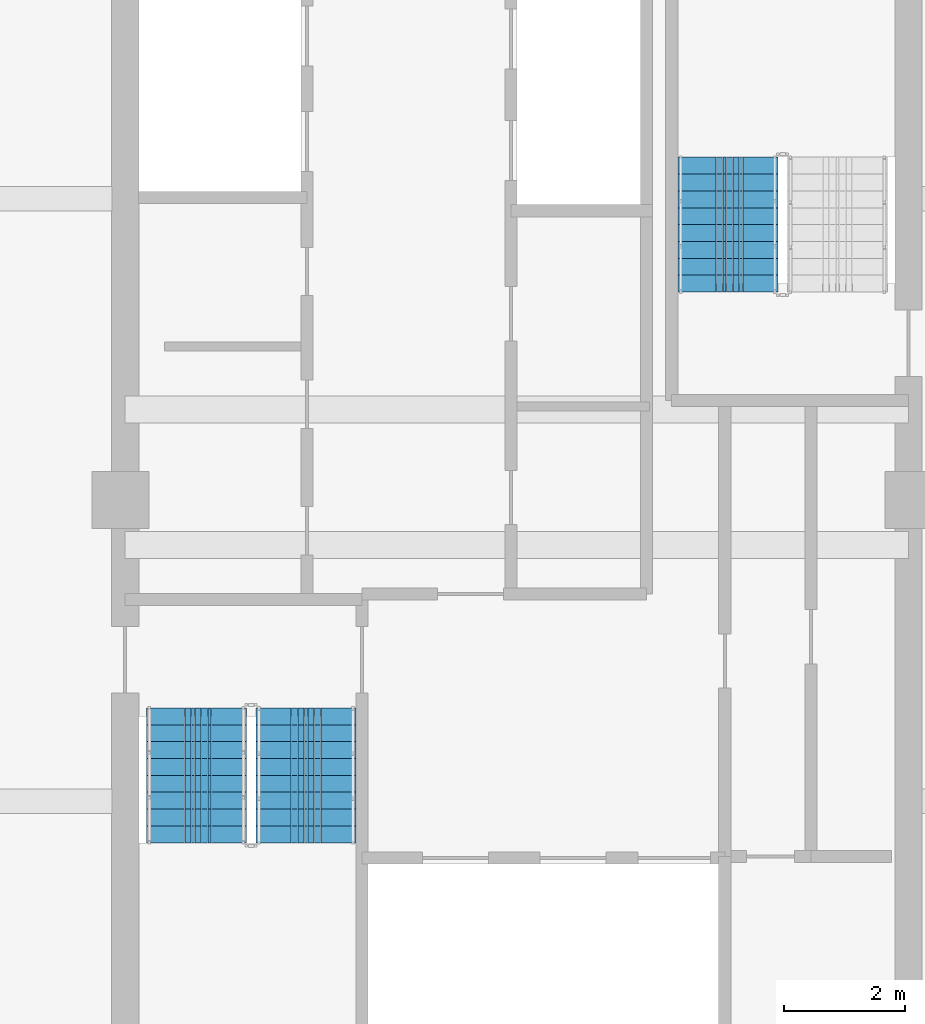
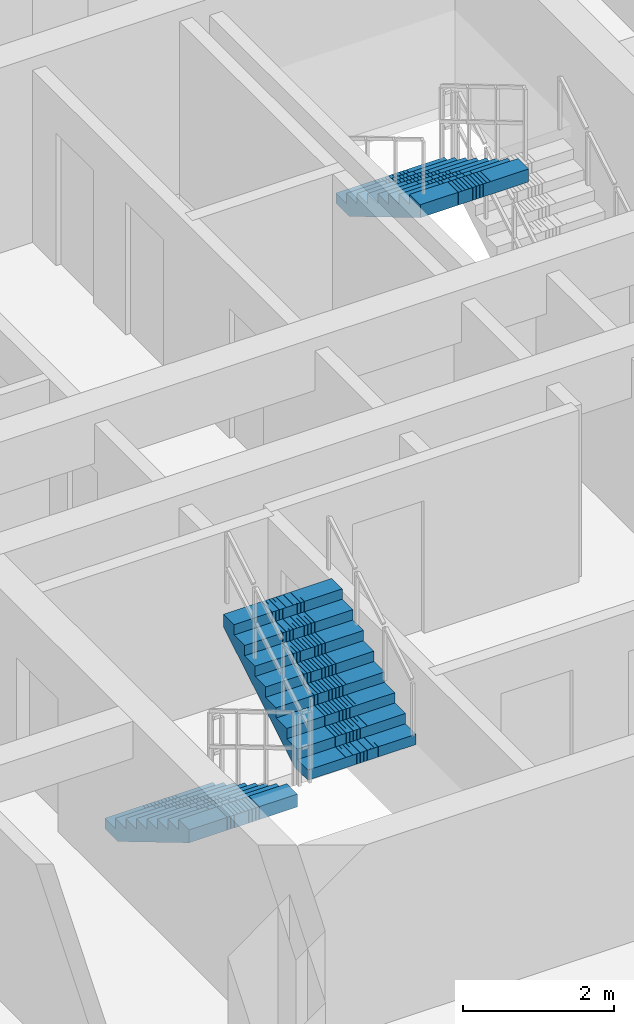
# One storey, part 8 of 14: 3 stair flights, 2 elements without a shape of their own.
"""IFC4 building model written with IfcOpenShell, lengths in metres."""

from ifc_helpers import new_model, si_unit, direction, frame, origin, place, context, subcontext, project, spatial, polyline, outline, extrude, material, type_object, element, aggregate, save


model = new_model("IFC4")

# Units and contexts
model_context = context("Model", 3, precision=1e-05, world=origin(), true_north=direction((0.0, 1.0)))
body_context = subcontext(model_context, "Body", "Model", "MODEL_VIEW")
ifc_project = project(units=[si_unit("LENGTHUNIT", "METRE"), si_unit("AREAUNIT", "SQUARE_METRE"), si_unit("VOLUMEUNIT", "CUBIC_METRE"), si_unit("PLANEANGLEUNIT", "RADIAN"), si_unit("MASSUNIT", "GRAM", prefix="KILO")], contexts=[model_context])

# Site, building, storey
site_placement = place(None, origin())
site = spatial("IfcSite", under=ifc_project, at=site_placement, CompositionType="ELEMENT")
building_placement = place(site_placement, origin())
building = spatial("IfcBuilding", under=site, at=building_placement, Name="Saelheon Loggia Tower", CompositionType="ELEMENT")
storey_placement = place(building_placement, frame((0.0, 0.0, 213.300048828125)))
storey = spatial("IfcBuildingStorey", under=building, at=storey_placement, Name="L66", CompositionType="ELEMENT", Elevation=213.300048828125)

# Stair, stair flights
ifc_material = material(Name="Concrete C40/50", Category="concrete")
stair_type = type_object("IfcStairType", Name="Stair_Escape_Core", PredefinedType="HALF_TURN_STAIR", material=ifc_material)
stair_1_placement = place(storey_placement, origin())
stair_1 = element("IfcStair", 1, at=stair_1_placement, inside=storey, type_object=stair_type, Name="L66 Special Escape Stair ST1", PredefinedType="HALF_TURN_STAIR")
stair_flight_type = type_object("IfcStairFlightType", Name="StairFlight_Tower_1660", PredefinedType="STRAIGHT", material=ifc_material)
stair_flight_1_placement = place(storey_placement, frame((32.679931640625, 23.550048828125, 0.0), z_axis=(0.0, 0.0, 1.0), x_axis=(0.0, -1.0, 0.0)))
stair_flight_1 = element("IfcStairFlight", 2, at=stair_flight_1_placement, type_object=stair_flight_type, Name="ST1 flight 1", NumberOfRisers=9, NumberOfTreads=8, PredefinedType="STRAIGHT", RiserHeight=0.166666667, TreadLength=0.28, context=body_context, shape_type="SweptSolid", body=[
    extrude(outline(polyline([(0.0, 0.0), (0.0, 0.166748046875), (0.280029296875, 0.166748046875), (0.280029296875, 0.333251953125), (0.56005859375, 0.333251953125), (0.56005859375, 0.5), (0.840087890625, 0.5), (0.840087890625, 0.666748046875), (1.1201171875, 0.666748046875), (1.1201171875, 0.833251953125), (1.39990234375, 0.833251953125), (1.39990234375, 1.0), (1.679931640625, 1.0), (1.679931640625, 1.166748046875), (1.9599609375, 1.166748046875), (1.9599609375, 1.333251953125), (2.239990234375, 1.333251953125), (2.239990234375, 1.5), (2.239990234375, 1.1240234375), (0.351806640625, 0.0), (0.0, 0.0)])), frame((0.0, -0.2490234375, 0.0), z_axis=(0.0, -1.0, 0.0), x_axis=(1.0, 0.0, 0.0)), (0.0, 0.0, 1.0), 0.5810546875),
    extrude(outline(polyline([(0.0, 0.0), (0.0, 0.166748046875), (0.280029296875, 0.166748046875), (0.280029296875, 0.333251953125), (0.56005859375, 0.333251953125), (0.56005859375, 0.5), (0.840087890625, 0.5), (0.840087890625, 0.666748046875), (1.1201171875, 0.666748046875), (1.1201171875, 0.833251953125), (1.39990234375, 0.833251953125), (1.39990234375, 1.0), (1.679931640625, 1.0), (1.679931640625, 1.166748046875), (1.9599609375, 1.166748046875), (1.9599609375, 1.333251953125), (2.239990234375, 1.333251953125), (2.239990234375, 1.5), (2.239990234375, 1.1240234375), (0.351806640625, 0.0), (0.0, 0.0)])), frame((0.0, -0.194091796875, 0.0), z_axis=(0.0, -1.0, 0.0), x_axis=(1.0, 0.0, 0.0)), (0.0, 0.0, 1.0), 0.0498046875),
    extrude(outline(polyline([(0.0, 0.0), (0.0, 0.166748046875), (0.280029296875, 0.166748046875), (0.280029296875, 0.333251953125), (0.56005859375, 0.333251953125), (0.56005859375, 0.5), (0.840087890625, 0.5), (0.840087890625, 0.666748046875), (1.1201171875, 0.666748046875), (1.1201171875, 0.833251953125), (1.39990234375, 0.833251953125), (1.39990234375, 1.0), (1.679931640625, 1.0), (1.679931640625, 1.166748046875), (1.9599609375, 1.166748046875), (1.9599609375, 1.333251953125), (2.239990234375, 1.333251953125), (2.239990234375, 1.5), (2.239990234375, 1.1240234375), (0.351806640625, 0.0), (0.0, 0.0)])), frame((0.0, -0.139404296875, 0.0), z_axis=(0.0, -1.0, 0.0), x_axis=(1.0, 0.0, 0.0)), (0.0, 0.0, 1.0), 0.0498046875),
    extrude(outline(polyline([(0.0, 0.0), (0.0, 0.166748046875), (0.280029296875, 0.166748046875), (0.280029296875, 0.333251953125), (0.56005859375, 0.333251953125), (0.56005859375, 0.5), (0.840087890625, 0.5), (0.840087890625, 0.666748046875), (1.1201171875, 0.666748046875), (1.1201171875, 0.833251953125), (1.39990234375, 0.833251953125), (1.39990234375, 1.0), (1.679931640625, 1.0), (1.679931640625, 1.166748046875), (1.9599609375, 1.166748046875), (1.9599609375, 1.333251953125), (2.239990234375, 1.333251953125), (2.239990234375, 1.5), (2.239990234375, 1.1240234375), (0.351806640625, 0.0), (0.0, 0.0)])), frame((0.0, -0.084716796875, 0.0), z_axis=(0.0, -1.0, 0.0), x_axis=(1.0, 0.0, 0.0)), (0.0, 0.0, 1.0), 0.0498046875),
    extrude(outline(polyline([(0.0, 0.0), (0.0, 0.166748046875), (0.280029296875, 0.166748046875), (0.280029296875, 0.333251953125), (0.56005859375, 0.333251953125), (0.56005859375, 0.5), (0.840087890625, 0.5), (0.840087890625, 0.666748046875), (1.1201171875, 0.666748046875), (1.1201171875, 0.833251953125), (1.39990234375, 0.833251953125), (1.39990234375, 1.0), (1.679931640625, 1.0), (1.679931640625, 1.166748046875), (1.9599609375, 1.166748046875), (1.9599609375, 1.333251953125), (2.239990234375, 1.333251953125), (2.239990234375, 1.5), (2.239990234375, 1.1240234375), (0.351806640625, 0.0), (0.0, 0.0)])), frame((0.0, -0.02978515625, 0.0), z_axis=(0.0, -1.0, 0.0), x_axis=(1.0, 0.0, 0.0)), (0.0, 0.0, 1.0), 0.0498046875),
    extrude(outline(polyline([(0.0, 0.0), (0.0, 0.166748046875), (0.280029296875, 0.166748046875), (0.280029296875, 0.333251953125), (0.56005859375, 0.333251953125), (0.56005859375, 0.5), (0.840087890625, 0.5), (0.840087890625, 0.666748046875), (1.1201171875, 0.666748046875), (1.1201171875, 0.833251953125), (1.39990234375, 0.833251953125), (1.39990234375, 1.0), (1.679931640625, 1.0), (1.679931640625, 1.166748046875), (1.9599609375, 1.166748046875), (1.9599609375, 1.333251953125), (2.239990234375, 1.333251953125), (2.239990234375, 1.5), (2.239990234375, 1.1240234375), (0.351806640625, 0.0), (0.0, 0.0)])), frame((0.0, 0.02490234375, 0.0), z_axis=(0.0, -1.0, 0.0), x_axis=(1.0, 0.0, 0.0)), (0.0, 0.0, 1.0), 0.0498046875),
    extrude(outline(polyline([(0.0, 0.0), (0.0, 0.166748046875), (0.280029296875, 0.166748046875), (0.280029296875, 0.333251953125), (0.56005859375, 0.333251953125), (0.56005859375, 0.5), (0.840087890625, 0.5), (0.840087890625, 0.666748046875), (1.1201171875, 0.666748046875), (1.1201171875, 0.833251953125), (1.39990234375, 0.833251953125), (1.39990234375, 1.0), (1.679931640625, 1.0), (1.679931640625, 1.166748046875), (1.9599609375, 1.166748046875), (1.9599609375, 1.333251953125), (2.239990234375, 1.333251953125), (2.239990234375, 1.5), (2.239990234375, 1.1240234375), (0.351806640625, 0.0), (0.0, 0.0)])), frame((0.0, 0.07958984375, 0.0), z_axis=(0.0, -1.0, 0.0), x_axis=(1.0, 0.0, 0.0)), (0.0, 0.0, 1.0), 0.0498046875),
    extrude(outline(polyline([(0.0, 0.0), (0.0, 0.166748046875), (0.280029296875, 0.166748046875), (0.280029296875, 0.333251953125), (0.56005859375, 0.333251953125), (0.56005859375, 0.5), (0.840087890625, 0.5), (0.840087890625, 0.666748046875), (1.1201171875, 0.666748046875), (1.1201171875, 0.833251953125), (1.39990234375, 0.833251953125), (1.39990234375, 1.0), (1.679931640625, 1.0), (1.679931640625, 1.166748046875), (1.9599609375, 1.166748046875), (1.9599609375, 1.333251953125), (2.239990234375, 1.333251953125), (2.239990234375, 1.5), (2.239990234375, 1.1240234375), (0.351806640625, 0.0), (0.0, 0.0)])), frame((0.0, 0.134521484375, 0.0), z_axis=(0.0, -1.0, 0.0), x_axis=(1.0, 0.0, 0.0)), (0.0, 0.0, 1.0), 0.0498046875),
    extrude(outline(polyline([(0.0, 0.0), (0.0, 0.166748046875), (0.280029296875, 0.166748046875), (0.280029296875, 0.333251953125), (0.56005859375, 0.333251953125), (0.56005859375, 0.5), (0.840087890625, 0.5), (0.840087890625, 0.666748046875), (1.1201171875, 0.666748046875), (1.1201171875, 0.833251953125), (1.39990234375, 0.833251953125), (1.39990234375, 1.0), (1.679931640625, 1.0), (1.679931640625, 1.166748046875), (1.9599609375, 1.166748046875), (1.9599609375, 1.333251953125), (2.239990234375, 1.333251953125), (2.239990234375, 1.5), (2.239990234375, 1.1240234375), (0.351806640625, 0.0), (0.0, 0.0)])), frame((0.0, 0.189208984375, 0.0), z_axis=(0.0, -1.0, 0.0), x_axis=(1.0, 0.0, 0.0)), (0.0, 0.0, 1.0), 0.0498046875),
    extrude(outline(polyline([(0.0, 0.0), (0.0, 0.166748046875), (0.280029296875, 0.166748046875), (0.280029296875, 0.333251953125), (0.56005859375, 0.333251953125), (0.56005859375, 0.5), (0.840087890625, 0.5), (0.840087890625, 0.666748046875), (1.1201171875, 0.666748046875), (1.1201171875, 0.833251953125), (1.39990234375, 0.833251953125), (1.39990234375, 1.0), (1.679931640625, 1.0), (1.679931640625, 1.166748046875), (1.9599609375, 1.166748046875), (1.9599609375, 1.333251953125), (2.239990234375, 1.333251953125), (2.239990234375, 1.5), (2.239990234375, 1.1240234375), (0.351806640625, 0.0), (0.0, 0.0)])), frame((0.0, 0.243896484375, 0.0), z_axis=(0.0, -1.0, 0.0), x_axis=(1.0, 0.0, 0.0)), (0.0, 0.0, 1.0), 0.0498046875),
    extrude(outline(polyline([(0.0, 0.0), (0.0, 0.166748046875), (0.280029296875, 0.166748046875), (0.280029296875, 0.333251953125), (0.56005859375, 0.333251953125), (0.56005859375, 0.5), (0.840087890625, 0.5), (0.840087890625, 0.666748046875), (1.1201171875, 0.666748046875), (1.1201171875, 0.833251953125), (1.39990234375, 0.833251953125), (1.39990234375, 1.0), (1.679931640625, 1.0), (1.679931640625, 1.166748046875), (1.9599609375, 1.166748046875), (1.9599609375, 1.333251953125), (2.239990234375, 1.333251953125), (2.239990234375, 1.5), (2.239990234375, 1.1240234375), (0.351806640625, 0.0), (0.0, 0.0)])), frame((0.0, 0.830078125, 0.0), z_axis=(0.0, -1.0, 0.0), x_axis=(1.0, 0.0, 0.0)), (0.0, 0.0, 1.0), 0.5810546875),
])
stair_flight_2_placement = place(storey_placement, frame((34.5, 21.31005859375, 1.5), z_axis=(0.0, 0.0, 1.0), x_axis=(0.0, 1.0, 0.0)))
stair_flight_2 = element("IfcStairFlight", 3, at=stair_flight_2_placement, type_object=stair_flight_type, Name="ST1 flight 2", NumberOfRisers=9, NumberOfTreads=8, PredefinedType="STRAIGHT", RiserHeight=0.166666667, TreadLength=0.28, context=body_context, shape_type="SweptSolid", body=[
    extrude(outline(polyline([(0.0, 0.0), (0.0, 0.166748046875), (0.280029296875, 0.166748046875), (0.280029296875, 0.333251953125), (0.56005859375, 0.333251953125), (0.56005859375, 0.5), (0.840087890625, 0.5), (0.840087890625, 0.666748046875), (1.1201171875, 0.666748046875), (1.1201171875, 0.833251953125), (1.39990234375, 0.833251953125), (1.39990234375, 1.0), (1.679931640625, 1.0), (1.679931640625, 1.166748046875), (1.9599609375, 1.166748046875), (1.9599609375, 1.333251953125), (2.239990234375, 1.333251953125), (2.239990234375, 1.5), (2.239990234375, 1.1240234375), (0.351806640625, 0.0), (0.0, 0.0)])), frame((0.0, -0.2490234375, 0.0), z_axis=(0.0, -1.0, 0.0), x_axis=(1.0, 0.0, 0.0)), (0.0, 0.0, 1.0), 0.5810546875),
    extrude(outline(polyline([(0.0, 0.0), (0.0, 0.166748046875), (0.280029296875, 0.166748046875), (0.280029296875, 0.333251953125), (0.56005859375, 0.333251953125), (0.56005859375, 0.5), (0.840087890625, 0.5), (0.840087890625, 0.666748046875), (1.1201171875, 0.666748046875), (1.1201171875, 0.833251953125), (1.39990234375, 0.833251953125), (1.39990234375, 1.0), (1.679931640625, 1.0), (1.679931640625, 1.166748046875), (1.9599609375, 1.166748046875), (1.9599609375, 1.333251953125), (2.239990234375, 1.333251953125), (2.239990234375, 1.5), (2.239990234375, 1.1240234375), (0.351806640625, 0.0), (0.0, 0.0)])), frame((0.0, -0.194091796875, 0.0), z_axis=(0.0, -1.0, 0.0), x_axis=(1.0, 0.0, 0.0)), (0.0, 0.0, 1.0), 0.0498046875),
    extrude(outline(polyline([(0.0, 0.0), (0.0, 0.166748046875), (0.280029296875, 0.166748046875), (0.280029296875, 0.333251953125), (0.56005859375, 0.333251953125), (0.56005859375, 0.5), (0.840087890625, 0.5), (0.840087890625, 0.666748046875), (1.1201171875, 0.666748046875), (1.1201171875, 0.833251953125), (1.39990234375, 0.833251953125), (1.39990234375, 1.0), (1.679931640625, 1.0), (1.679931640625, 1.166748046875), (1.9599609375, 1.166748046875), (1.9599609375, 1.333251953125), (2.239990234375, 1.333251953125), (2.239990234375, 1.5), (2.239990234375, 1.1240234375), (0.351806640625, 0.0), (0.0, 0.0)])), frame((0.0, -0.139404296875, 0.0), z_axis=(0.0, -1.0, 0.0), x_axis=(1.0, 0.0, 0.0)), (0.0, 0.0, 1.0), 0.0498046875),
    extrude(outline(polyline([(0.0, 0.0), (0.0, 0.166748046875), (0.280029296875, 0.166748046875), (0.280029296875, 0.333251953125), (0.56005859375, 0.333251953125), (0.56005859375, 0.5), (0.840087890625, 0.5), (0.840087890625, 0.666748046875), (1.1201171875, 0.666748046875), (1.1201171875, 0.833251953125), (1.39990234375, 0.833251953125), (1.39990234375, 1.0), (1.679931640625, 1.0), (1.679931640625, 1.166748046875), (1.9599609375, 1.166748046875), (1.9599609375, 1.333251953125), (2.239990234375, 1.333251953125), (2.239990234375, 1.5), (2.239990234375, 1.1240234375), (0.351806640625, 0.0), (0.0, 0.0)])), frame((0.0, -0.084716796875, 0.0), z_axis=(0.0, -1.0, 0.0), x_axis=(1.0, 0.0, 0.0)), (0.0, 0.0, 1.0), 0.0498046875),
    extrude(outline(polyline([(0.0, 0.0), (0.0, 0.166748046875), (0.280029296875, 0.166748046875), (0.280029296875, 0.333251953125), (0.56005859375, 0.333251953125), (0.56005859375, 0.5), (0.840087890625, 0.5), (0.840087890625, 0.666748046875), (1.1201171875, 0.666748046875), (1.1201171875, 0.833251953125), (1.39990234375, 0.833251953125), (1.39990234375, 1.0), (1.679931640625, 1.0), (1.679931640625, 1.166748046875), (1.9599609375, 1.166748046875), (1.9599609375, 1.333251953125), (2.239990234375, 1.333251953125), (2.239990234375, 1.5), (2.239990234375, 1.1240234375), (0.351806640625, 0.0), (0.0, 0.0)])), frame((0.0, -0.02978515625, 0.0), z_axis=(0.0, -1.0, 0.0), x_axis=(1.0, 0.0, 0.0)), (0.0, 0.0, 1.0), 0.0498046875),
    extrude(outline(polyline([(0.0, 0.0), (0.0, 0.166748046875), (0.280029296875, 0.166748046875), (0.280029296875, 0.333251953125), (0.56005859375, 0.333251953125), (0.56005859375, 0.5), (0.840087890625, 0.5), (0.840087890625, 0.666748046875), (1.1201171875, 0.666748046875), (1.1201171875, 0.833251953125), (1.39990234375, 0.833251953125), (1.39990234375, 1.0), (1.679931640625, 1.0), (1.679931640625, 1.166748046875), (1.9599609375, 1.166748046875), (1.9599609375, 1.333251953125), (2.239990234375, 1.333251953125), (2.239990234375, 1.5), (2.239990234375, 1.1240234375), (0.351806640625, 0.0), (0.0, 0.0)])), frame((0.0, 0.02490234375, 0.0), z_axis=(0.0, -1.0, 0.0), x_axis=(1.0, 0.0, 0.0)), (0.0, 0.0, 1.0), 0.0498046875),
    extrude(outline(polyline([(0.0, 0.0), (0.0, 0.166748046875), (0.280029296875, 0.166748046875), (0.280029296875, 0.333251953125), (0.56005859375, 0.333251953125), (0.56005859375, 0.5), (0.840087890625, 0.5), (0.840087890625, 0.666748046875), (1.1201171875, 0.666748046875), (1.1201171875, 0.833251953125), (1.39990234375, 0.833251953125), (1.39990234375, 1.0), (1.679931640625, 1.0), (1.679931640625, 1.166748046875), (1.9599609375, 1.166748046875), (1.9599609375, 1.333251953125), (2.239990234375, 1.333251953125), (2.239990234375, 1.5), (2.239990234375, 1.1240234375), (0.351806640625, 0.0), (0.0, 0.0)])), frame((0.0, 0.07958984375, 0.0), z_axis=(0.0, -1.0, 0.0), x_axis=(1.0, 0.0, 0.0)), (0.0, 0.0, 1.0), 0.0498046875),
    extrude(outline(polyline([(0.0, 0.0), (0.0, 0.166748046875), (0.280029296875, 0.166748046875), (0.280029296875, 0.333251953125), (0.56005859375, 0.333251953125), (0.56005859375, 0.5), (0.840087890625, 0.5), (0.840087890625, 0.666748046875), (1.1201171875, 0.666748046875), (1.1201171875, 0.833251953125), (1.39990234375, 0.833251953125), (1.39990234375, 1.0), (1.679931640625, 1.0), (1.679931640625, 1.166748046875), (1.9599609375, 1.166748046875), (1.9599609375, 1.333251953125), (2.239990234375, 1.333251953125), (2.239990234375, 1.5), (2.239990234375, 1.1240234375), (0.351806640625, 0.0), (0.0, 0.0)])), frame((0.0, 0.134521484375, 0.0), z_axis=(0.0, -1.0, 0.0), x_axis=(1.0, 0.0, 0.0)), (0.0, 0.0, 1.0), 0.0498046875),
    extrude(outline(polyline([(0.0, 0.0), (0.0, 0.166748046875), (0.280029296875, 0.166748046875), (0.280029296875, 0.333251953125), (0.56005859375, 0.333251953125), (0.56005859375, 0.5), (0.840087890625, 0.5), (0.840087890625, 0.666748046875), (1.1201171875, 0.666748046875), (1.1201171875, 0.833251953125), (1.39990234375, 0.833251953125), (1.39990234375, 1.0), (1.679931640625, 1.0), (1.679931640625, 1.166748046875), (1.9599609375, 1.166748046875), (1.9599609375, 1.333251953125), (2.239990234375, 1.333251953125), (2.239990234375, 1.5), (2.239990234375, 1.1240234375), (0.351806640625, 0.0), (0.0, 0.0)])), frame((0.0, 0.189208984375, 0.0), z_axis=(0.0, -1.0, 0.0), x_axis=(1.0, 0.0, 0.0)), (0.0, 0.0, 1.0), 0.0498046875),
    extrude(outline(polyline([(0.0, 0.0), (0.0, 0.166748046875), (0.280029296875, 0.166748046875), (0.280029296875, 0.333251953125), (0.56005859375, 0.333251953125), (0.56005859375, 0.5), (0.840087890625, 0.5), (0.840087890625, 0.666748046875), (1.1201171875, 0.666748046875), (1.1201171875, 0.833251953125), (1.39990234375, 0.833251953125), (1.39990234375, 1.0), (1.679931640625, 1.0), (1.679931640625, 1.166748046875), (1.9599609375, 1.166748046875), (1.9599609375, 1.333251953125), (2.239990234375, 1.333251953125), (2.239990234375, 1.5), (2.239990234375, 1.1240234375), (0.351806640625, 0.0), (0.0, 0.0)])), frame((0.0, 0.243896484375, 0.0), z_axis=(0.0, -1.0, 0.0), x_axis=(1.0, 0.0, 0.0)), (0.0, 0.0, 1.0), 0.0498046875),
    extrude(outline(polyline([(0.0, 0.0), (0.0, 0.166748046875), (0.280029296875, 0.166748046875), (0.280029296875, 0.333251953125), (0.56005859375, 0.333251953125), (0.56005859375, 0.5), (0.840087890625, 0.5), (0.840087890625, 0.666748046875), (1.1201171875, 0.666748046875), (1.1201171875, 0.833251953125), (1.39990234375, 0.833251953125), (1.39990234375, 1.0), (1.679931640625, 1.0), (1.679931640625, 1.166748046875), (1.9599609375, 1.166748046875), (1.9599609375, 1.333251953125), (2.239990234375, 1.333251953125), (2.239990234375, 1.5), (2.239990234375, 1.1240234375), (0.351806640625, 0.0), (0.0, 0.0)])), frame((0.0, 0.830078125, 0.0), z_axis=(0.0, -1.0, 0.0), x_axis=(1.0, 0.0, 0.0)), (0.0, 0.0, 1.0), 0.5810546875),
])
aggregate(stair_1, [stair_flight_1, stair_flight_2])

# Stair, stair flight
stair_2_placement = place(storey_placement, origin())
stair_2 = element("IfcStair", 4, at=stair_2_placement, inside=storey, type_object=stair_type, Name="L66 Special Escape Stair ST2", PredefinedType="HALF_TURN_STAIR")
stair_flight_3_placement = place(storey_placement, frame((41.5, 32.68994140625, 1.5), z_axis=(0.0, 0.0, 1.0), x_axis=(0.0, -1.0, 0.0)))
stair_flight_3 = element("IfcStairFlight", 5, at=stair_flight_3_placement, type_object=stair_flight_type, Name="ST2 flight 2", NumberOfRisers=9, NumberOfTreads=8, PredefinedType="STRAIGHT", RiserHeight=0.166666667, TreadLength=0.28, context=body_context, shape_type="SweptSolid", body=[
    extrude(outline(polyline([(0.0, 0.0), (0.0, 0.166748046875), (0.280029296875, 0.166748046875), (0.280029296875, 0.333251953125), (0.56005859375, 0.333251953125), (0.56005859375, 0.5), (0.840087890625, 0.5), (0.840087890625, 0.666748046875), (1.1201171875, 0.666748046875), (1.1201171875, 0.833251953125), (1.39990234375, 0.833251953125), (1.39990234375, 1.0), (1.679931640625, 1.0), (1.679931640625, 1.166748046875), (1.9599609375, 1.166748046875), (1.9599609375, 1.333251953125), (2.239990234375, 1.333251953125), (2.239990234375, 1.5), (2.239990234375, 1.1240234375), (0.351806640625, 0.0), (0.0, 0.0)])), frame((0.0, -0.2490234375, 0.0), z_axis=(0.0, -1.0, 0.0), x_axis=(1.0, 0.0, 0.0)), (0.0, 0.0, 1.0), 0.5810546875),
    extrude(outline(polyline([(0.0, 0.0), (0.0, 0.166748046875), (0.280029296875, 0.166748046875), (0.280029296875, 0.333251953125), (0.56005859375, 0.333251953125), (0.56005859375, 0.5), (0.840087890625, 0.5), (0.840087890625, 0.666748046875), (1.1201171875, 0.666748046875), (1.1201171875, 0.833251953125), (1.39990234375, 0.833251953125), (1.39990234375, 1.0), (1.679931640625, 1.0), (1.679931640625, 1.166748046875), (1.9599609375, 1.166748046875), (1.9599609375, 1.333251953125), (2.239990234375, 1.333251953125), (2.239990234375, 1.5), (2.239990234375, 1.1240234375), (0.351806640625, 0.0), (0.0, 0.0)])), frame((0.0, -0.194091796875, 0.0), z_axis=(0.0, -1.0, 0.0), x_axis=(1.0, 0.0, 0.0)), (0.0, 0.0, 1.0), 0.0498046875),
    extrude(outline(polyline([(0.0, 0.0), (0.0, 0.166748046875), (0.280029296875, 0.166748046875), (0.280029296875, 0.333251953125), (0.56005859375, 0.333251953125), (0.56005859375, 0.5), (0.840087890625, 0.5), (0.840087890625, 0.666748046875), (1.1201171875, 0.666748046875), (1.1201171875, 0.833251953125), (1.39990234375, 0.833251953125), (1.39990234375, 1.0), (1.679931640625, 1.0), (1.679931640625, 1.166748046875), (1.9599609375, 1.166748046875), (1.9599609375, 1.333251953125), (2.239990234375, 1.333251953125), (2.239990234375, 1.5), (2.239990234375, 1.1240234375), (0.351806640625, 0.0), (0.0, 0.0)])), frame((0.0, -0.139404296875, 0.0), z_axis=(0.0, -1.0, 0.0), x_axis=(1.0, 0.0, 0.0)), (0.0, 0.0, 1.0), 0.0498046875),
    extrude(outline(polyline([(0.0, 0.0), (0.0, 0.166748046875), (0.280029296875, 0.166748046875), (0.280029296875, 0.333251953125), (0.56005859375, 0.333251953125), (0.56005859375, 0.5), (0.840087890625, 0.5), (0.840087890625, 0.666748046875), (1.1201171875, 0.666748046875), (1.1201171875, 0.833251953125), (1.39990234375, 0.833251953125), (1.39990234375, 1.0), (1.679931640625, 1.0), (1.679931640625, 1.166748046875), (1.9599609375, 1.166748046875), (1.9599609375, 1.333251953125), (2.239990234375, 1.333251953125), (2.239990234375, 1.5), (2.239990234375, 1.1240234375), (0.351806640625, 0.0), (0.0, 0.0)])), frame((0.0, -0.084716796875, 0.0), z_axis=(0.0, -1.0, 0.0), x_axis=(1.0, 0.0, 0.0)), (0.0, 0.0, 1.0), 0.0498046875),
    extrude(outline(polyline([(0.0, 0.0), (0.0, 0.166748046875), (0.280029296875, 0.166748046875), (0.280029296875, 0.333251953125), (0.56005859375, 0.333251953125), (0.56005859375, 0.5), (0.840087890625, 0.5), (0.840087890625, 0.666748046875), (1.1201171875, 0.666748046875), (1.1201171875, 0.833251953125), (1.39990234375, 0.833251953125), (1.39990234375, 1.0), (1.679931640625, 1.0), (1.679931640625, 1.166748046875), (1.9599609375, 1.166748046875), (1.9599609375, 1.333251953125), (2.239990234375, 1.333251953125), (2.239990234375, 1.5), (2.239990234375, 1.1240234375), (0.351806640625, 0.0), (0.0, 0.0)])), frame((0.0, -0.02978515625, 0.0), z_axis=(0.0, -1.0, 0.0), x_axis=(1.0, 0.0, 0.0)), (0.0, 0.0, 1.0), 0.0498046875),
    extrude(outline(polyline([(0.0, 0.0), (0.0, 0.166748046875), (0.280029296875, 0.166748046875), (0.280029296875, 0.333251953125), (0.56005859375, 0.333251953125), (0.56005859375, 0.5), (0.840087890625, 0.5), (0.840087890625, 0.666748046875), (1.1201171875, 0.666748046875), (1.1201171875, 0.833251953125), (1.39990234375, 0.833251953125), (1.39990234375, 1.0), (1.679931640625, 1.0), (1.679931640625, 1.166748046875), (1.9599609375, 1.166748046875), (1.9599609375, 1.333251953125), (2.239990234375, 1.333251953125), (2.239990234375, 1.5), (2.239990234375, 1.1240234375), (0.351806640625, 0.0), (0.0, 0.0)])), frame((0.0, 0.02490234375, 0.0), z_axis=(0.0, -1.0, 0.0), x_axis=(1.0, 0.0, 0.0)), (0.0, 0.0, 1.0), 0.0498046875),
    extrude(outline(polyline([(0.0, 0.0), (0.0, 0.166748046875), (0.280029296875, 0.166748046875), (0.280029296875, 0.333251953125), (0.56005859375, 0.333251953125), (0.56005859375, 0.5), (0.840087890625, 0.5), (0.840087890625, 0.666748046875), (1.1201171875, 0.666748046875), (1.1201171875, 0.833251953125), (1.39990234375, 0.833251953125), (1.39990234375, 1.0), (1.679931640625, 1.0), (1.679931640625, 1.166748046875), (1.9599609375, 1.166748046875), (1.9599609375, 1.333251953125), (2.239990234375, 1.333251953125), (2.239990234375, 1.5), (2.239990234375, 1.1240234375), (0.351806640625, 0.0), (0.0, 0.0)])), frame((0.0, 0.07958984375, 0.0), z_axis=(0.0, -1.0, 0.0), x_axis=(1.0, 0.0, 0.0)), (0.0, 0.0, 1.0), 0.0498046875),
    extrude(outline(polyline([(0.0, 0.0), (0.0, 0.166748046875), (0.280029296875, 0.166748046875), (0.280029296875, 0.333251953125), (0.56005859375, 0.333251953125), (0.56005859375, 0.5), (0.840087890625, 0.5), (0.840087890625, 0.666748046875), (1.1201171875, 0.666748046875), (1.1201171875, 0.833251953125), (1.39990234375, 0.833251953125), (1.39990234375, 1.0), (1.679931640625, 1.0), (1.679931640625, 1.166748046875), (1.9599609375, 1.166748046875), (1.9599609375, 1.333251953125), (2.239990234375, 1.333251953125), (2.239990234375, 1.5), (2.239990234375, 1.1240234375), (0.351806640625, 0.0), (0.0, 0.0)])), frame((0.0, 0.134521484375, 0.0), z_axis=(0.0, -1.0, 0.0), x_axis=(1.0, 0.0, 0.0)), (0.0, 0.0, 1.0), 0.0498046875),
    extrude(outline(polyline([(0.0, 0.0), (0.0, 0.166748046875), (0.280029296875, 0.166748046875), (0.280029296875, 0.333251953125), (0.56005859375, 0.333251953125), (0.56005859375, 0.5), (0.840087890625, 0.5), (0.840087890625, 0.666748046875), (1.1201171875, 0.666748046875), (1.1201171875, 0.833251953125), (1.39990234375, 0.833251953125), (1.39990234375, 1.0), (1.679931640625, 1.0), (1.679931640625, 1.166748046875), (1.9599609375, 1.166748046875), (1.9599609375, 1.333251953125), (2.239990234375, 1.333251953125), (2.239990234375, 1.5), (2.239990234375, 1.1240234375), (0.351806640625, 0.0), (0.0, 0.0)])), frame((0.0, 0.189208984375, 0.0), z_axis=(0.0, -1.0, 0.0), x_axis=(1.0, 0.0, 0.0)), (0.0, 0.0, 1.0), 0.0498046875),
    extrude(outline(polyline([(0.0, 0.0), (0.0, 0.166748046875), (0.280029296875, 0.166748046875), (0.280029296875, 0.333251953125), (0.56005859375, 0.333251953125), (0.56005859375, 0.5), (0.840087890625, 0.5), (0.840087890625, 0.666748046875), (1.1201171875, 0.666748046875), (1.1201171875, 0.833251953125), (1.39990234375, 0.833251953125), (1.39990234375, 1.0), (1.679931640625, 1.0), (1.679931640625, 1.166748046875), (1.9599609375, 1.166748046875), (1.9599609375, 1.333251953125), (2.239990234375, 1.333251953125), (2.239990234375, 1.5), (2.239990234375, 1.1240234375), (0.351806640625, 0.0), (0.0, 0.0)])), frame((0.0, 0.243896484375, 0.0), z_axis=(0.0, -1.0, 0.0), x_axis=(1.0, 0.0, 0.0)), (0.0, 0.0, 1.0), 0.0498046875),
    extrude(outline(polyline([(0.0, 0.0), (0.0, 0.166748046875), (0.280029296875, 0.166748046875), (0.280029296875, 0.333251953125), (0.56005859375, 0.333251953125), (0.56005859375, 0.5), (0.840087890625, 0.5), (0.840087890625, 0.666748046875), (1.1201171875, 0.666748046875), (1.1201171875, 0.833251953125), (1.39990234375, 0.833251953125), (1.39990234375, 1.0), (1.679931640625, 1.0), (1.679931640625, 1.166748046875), (1.9599609375, 1.166748046875), (1.9599609375, 1.333251953125), (2.239990234375, 1.333251953125), (2.239990234375, 1.5), (2.239990234375, 1.1240234375), (0.351806640625, 0.0), (0.0, 0.0)])), frame((0.0, 0.830078125, 0.0), z_axis=(0.0, -1.0, 0.0), x_axis=(1.0, 0.0, 0.0)), (0.0, 0.0, 1.0), 0.5810546875),
])
aggregate(stair_2, [stair_flight_3])

save(model, "model.ifc")
